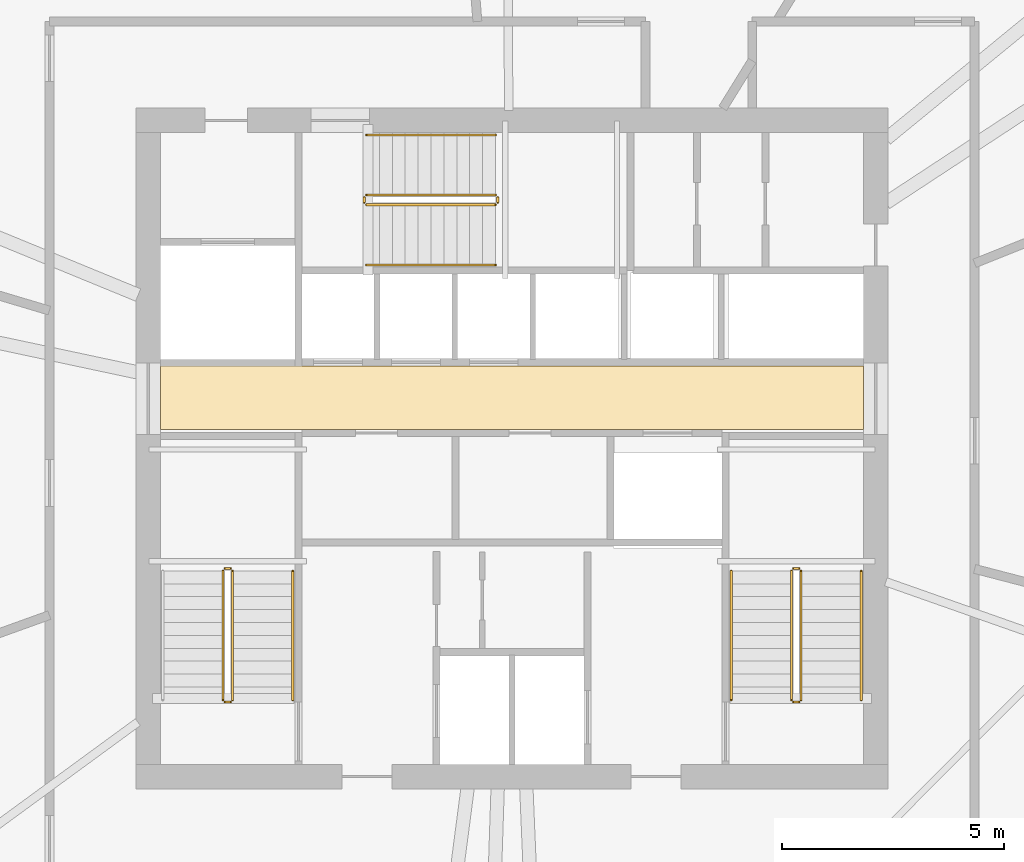
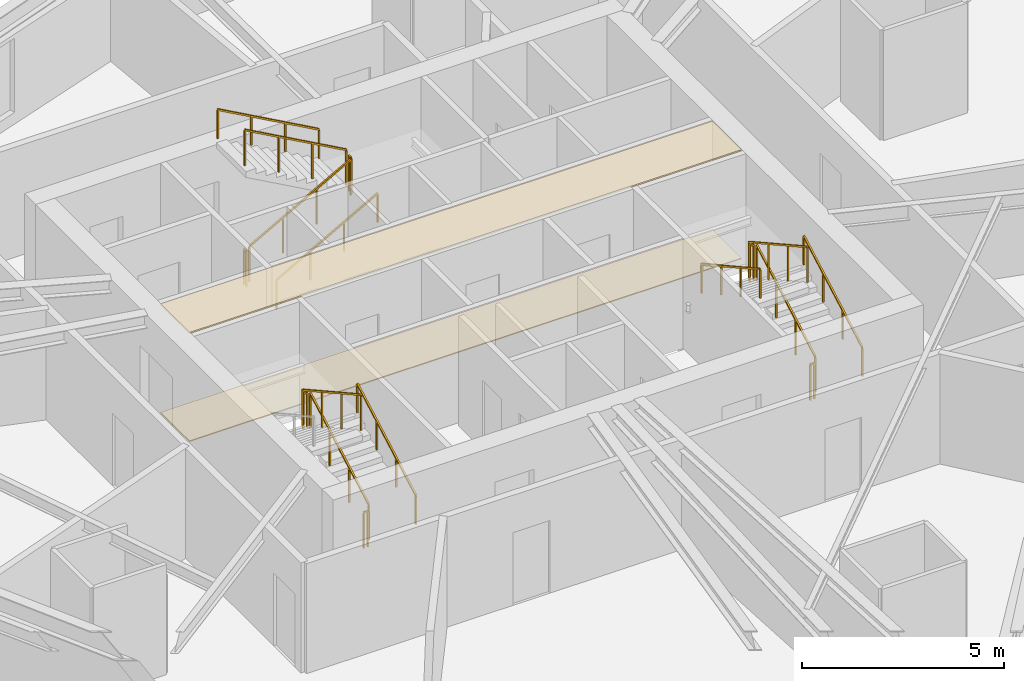
# One storey, part 13 of 14: 17 railings, 2 coverings.
"""IFC4 building model written with IfcOpenShell, lengths in metres."""

import ifcopenshell
import ifcopenshell.guid

model = None  # the IFC model being written
_history = None  # IfcOwnerHistory: only IFC2X3 demands one
_inside = {}  # id of a spatial element -> (the spatial element, [elements in it])
_under = {}  # id of a project, library or spatial element -> (it, [spatial elements below it])
_declared = {}  # id of a project -> (the project, [libraries it declares])
_typed = {}  # id of a type object -> (the type object, [elements of that type])
_made_of = {}  # id of a material, layer set ... -> (it, [elements and type objects made of it])


def new_model(schema):
    """Start an empty IFC model of exactly this schema.

    Asked for "IFC4X3", IfcOpenShell would pick the latest addendum, in which some entities
    have other attributes; the version numbers below select the first issue.
    IFC2X3 requires an IfcOwnerHistory on every rooted entity: one is made here for all.
    """
    global model, _history
    if schema == "IFC4X3":
        model = ifcopenshell.file(schema_version=(4, 3, 0, 0))
    else:
        model = ifcopenshell.file(schema=schema)
    _inside.clear()
    _under.clear()
    _declared.clear()
    _typed.clear()
    _made_of.clear()
    _history = None
    if model.schema == "IFC2X3":
        org = make("IfcOrganization", Name="unknown")
        user = make(
            "IfcPersonAndOrganization",
            ThePerson=make("IfcPerson", FamilyName="unknown"),
            TheOrganization=org,
        )
        app = make(
            "IfcApplication",
            ApplicationDeveloper=org,
            Version="unknown",
            ApplicationFullName="unknown",
            ApplicationIdentifier="unknown",
        )
        _history = make(
            "IfcOwnerHistory",
            OwningUser=user,
            OwningApplication=app,
            ChangeAction="ADDED",
            CreationDate=0,
        )
    return model


def make(cls, **values):
    """One entity of the class cls with the attributes given. An attribute that is None is left unset."""
    return model.create_entity(
        cls, **{name: value for name, value in values.items() if value is not None}
    )


def rooted(cls, **values):
    """An entity with a GlobalId (a new one), such as an element, a storey or a relation."""
    return make(cls, GlobalId=ifcopenshell.guid.new(), OwnerHistory=_history, **values)


def si_unit(unit_type, name, prefix=None):
    """IfcSIUnit, for example si_unit("LENGTHUNIT", "METRE", prefix="MILLI")."""
    return make("IfcSIUnit", UnitType=unit_type, Prefix=prefix, Name=name)


def assignment(units):
    """IfcUnitAssignment: the units of a project."""
    return None if units is None else make("IfcUnitAssignment", Units=units)


def point(xyz):
    """IfcCartesianPoint."""
    return None if xyz is None else make("IfcCartesianPoint", Coordinates=xyz)


def direction(xyz):
    """IfcDirection."""
    return None if xyz is None else make("IfcDirection", DirectionRatios=xyz)


def frame(location, z_axis=None, x_axis=None):
    """IfcAxis2Placement3D, a coordinate frame: its origin and axes. An axis left out is left unset."""
    return make(
        "IfcAxis2Placement3D",
        Location=point(location),
        Axis=direction(z_axis),
        RefDirection=direction(x_axis),
    )


def frame_2d(location, x_axis=None):
    """IfcAxis2Placement2D, a coordinate frame in the plane: its origin and x axis."""
    return make(
        "IfcAxis2Placement2D", Location=point(location), RefDirection=direction(x_axis)
    )


def origin():
    """The frame at (0, 0, 0) with its axes left unset."""
    return frame((0.0, 0.0, 0.0))


def origin_2d():
    """The frame at (0, 0) in the plane with its x axis left unset."""
    return frame_2d((0.0, 0.0))


def place(relative_to, where):
    """IfcLocalPlacement: puts the frame where relative to a parent placement (None: the world)."""
    return make(
        "IfcLocalPlacement", PlacementRelTo=relative_to, RelativePlacement=where
    )


def context(
    kind, dimensions, precision=None, world=None, true_north=None, identifier=None
):
    """IfcGeometricRepresentationContext, for example the 3D "Model" context."""
    return make(
        "IfcGeometricRepresentationContext",
        ContextIdentifier=identifier,
        ContextType=kind,
        CoordinateSpaceDimension=dimensions,
        Precision=precision,
        WorldCoordinateSystem=world,
        TrueNorth=true_north,
    )


def subcontext(parent, identifier, kind, view, scale=None):
    """IfcGeometricRepresentationSubContext, for example "Body" below "Model"."""
    return make(
        "IfcGeometricRepresentationSubContext",
        ContextIdentifier=identifier,
        ContextType=kind,
        ParentContext=parent,
        TargetScale=scale,
        TargetView=view,
    )


def project(units=None, contexts=None):
    """IfcProject with its units and contexts."""
    return rooted(
        "IfcProject",
        Name="project",
        RepresentationContexts=contexts,
        UnitsInContext=assignment(units),
    )


def spatial(cls, under=None, at=None, **own):
    """A site, building, storey or space (cls), placed at a placement, below another one or the project."""
    s = rooted(cls, ObjectPlacement=at, **own)
    if under is not None:
        _under.setdefault(under.id(), (under, []))[1].append(s)
    return s


def polyline(points):
    """IfcPolyline through the points."""
    return make("IfcPolyline", Points=[point(p) for p in points])


def profile(cls, at=None, kind="AREA", **sizes):
    """A parametric profile (cls). Its sizes go by their IFC names, for example OverallWidth=200.0."""
    return make(cls, ProfileType=kind, Position=at, **sizes)


def rectangle(**sizes):
    """IfcRectangleProfileDef."""
    return profile("IfcRectangleProfileDef", **sizes)


def outline(outer, holes=None, kind="AREA"):
    """IfcArbitraryClosedProfileDef: a profile drawn as a closed curve; with holes, ...WithVoids."""
    if holes is None:
        return make("IfcArbitraryClosedProfileDef", ProfileType=kind, OuterCurve=outer)
    return make(
        "IfcArbitraryProfileDefWithVoids",
        ProfileType=kind,
        OuterCurve=outer,
        InnerCurves=holes,
    )


def extrude(swept, where, along, depth):
    """IfcExtrudedAreaSolid: the profile swept, set in the frame where, extruded along a direction by depth."""
    return make(
        "IfcExtrudedAreaSolid",
        SweptArea=swept,
        Position=where,
        ExtrudedDirection=direction(along),
        Depth=depth,
    )


def shape(context_of_items, identifier, shape_type, items):
    """IfcShapeRepresentation: the items that make up one representation, for example the "Body"."""
    return make(
        "IfcShapeRepresentation",
        ContextOfItems=context_of_items,
        RepresentationIdentifier=identifier,
        RepresentationType=shape_type,
        Items=items,
    )


def material(Name=None, Category=None):
    """IfcMaterial."""
    return make("IfcMaterial", Name=Name, Category=Category)


def layer(
    of_material, thickness, ventilated=None, Name=None, Category=None, Priority=None
):
    """IfcMaterialLayer: one layer of a wall or slab, of a material (None: an air gap)."""
    return make(
        "IfcMaterialLayer",
        Material=of_material,
        LayerThickness=thickness,
        IsVentilated=ventilated,
        Name=Name,
        Category=Category,
        Priority=Priority,
    )


def layer_set(layers, Name=None):
    """IfcMaterialLayerSet."""
    return make("IfcMaterialLayerSet", MaterialLayers=layers, LayerSetName=Name)


def made_of(thing, what):
    """Note that an element or type object is made of a material, layer set ...; save() writes the relation."""
    if what is not None:
        _made_of.setdefault(what.id(), (what, []))[1].append(thing)
    return thing


def type_object(cls, material=None, **own):
    """A type object (cls), such as IfcWallType, which elements share."""
    return made_of(rooted(cls, **own), material)


def element(
    cls,
    number,
    at=None,
    inside=None,
    cuts=None,
    type_object=None,
    material=None,
    context=None,
    identifier="Body",
    shape_type=None,
    held_by="IfcProductDefinitionShape",
    body=None,
    shapes=None,
    **own,
):
    """One element of the class cls, such as IfcWall. Its Tag is "e" and its number.

    at: its placement. inside: the storey or other place that contains it. cuts: it is an
    opening in that element (IfcRelVoidsElement). A single representation is given by context,
    identifier, shape_type and body (its items); several are given by shapes. held_by: the class
    of the entity that holds the representations. save() writes the other relations.
    """
    e = rooted(cls, Tag="e%d" % number, ObjectPlacement=at, **own)
    if body is not None:
        shapes = [shape(context, identifier, shape_type, body)]
    if shapes is not None:
        e.Representation = make(held_by, Representations=shapes)
    if inside is not None:
        _inside.setdefault(inside.id(), (inside, []))[1].append(e)
    if cuts is not None:
        rooted(
            "IfcRelVoidsElement", RelatingBuildingElement=cuts, RelatedOpeningElement=e
        )
    if type_object is not None:
        _typed.setdefault(type_object.id(), (type_object, []))[1].append(e)
    return made_of(e, material)


def aggregate(whole, parts):
    """IfcRelAggregates: a whole, such as a stair, and the parts it consists of."""
    return rooted("IfcRelAggregates", RelatingObject=whole, RelatedObjects=parts)


def save(model, path):
    """Write the relations noted so far, then the file.

    IfcRelAggregates (storeys below a building ...), IfcRelContainedInSpatialStructure (elements
    in a storey), IfcRelDefinesByType, IfcRelAssociatesMaterial and IfcRelDeclares: one each for
    every whole, place, type object, material and project.
    """
    for whole, parts in _under.values():
        aggregate(whole, parts)
    for where, things in _inside.values():
        rooted(
            "IfcRelContainedInSpatialStructure",
            RelatedElements=things,
            RelatingStructure=where,
        )
    for kind, things in _typed.values():
        rooted("IfcRelDefinesByType", RelatedObjects=things, RelatingType=kind)
    for what, things in _made_of.values():
        rooted("IfcRelAssociatesMaterial", RelatedObjects=things, RelatingMaterial=what)
    for by, libraries in _declared.values():
        rooted("IfcRelDeclares", RelatingContext=by, RelatedDefinitions=libraries)
    model.write(path)


model = new_model("IFC4")

# Units and contexts
model_context = context("Model", 3, precision=1e-05, world=origin(), true_north=direction((0.0, 1.0)))
body_context = subcontext(model_context, "Body", "Model", "MODEL_VIEW")
ifc_project = project(units=[si_unit("LENGTHUNIT", "METRE"), si_unit("AREAUNIT", "SQUARE_METRE"), si_unit("VOLUMEUNIT", "CUBIC_METRE"), si_unit("PLANEANGLEUNIT", "RADIAN"), si_unit("MASSUNIT", "GRAM", prefix="KILO")], contexts=[model_context])

# Site, building, storey
site_placement = place(None, origin())
site = spatial("IfcSite", under=ifc_project, at=site_placement, CompositionType="ELEMENT")
building_placement = place(site_placement, origin())
building = spatial("IfcBuilding", under=site, at=building_placement, Name="Olszyna Solenne Hotel", CompositionType="ELEMENT")
storey_placement = place(building_placement, frame((0.0, 0.0, 178.550048828125)))
storey = spatial("IfcBuildingStorey", under=building, at=storey_placement, Name="L47", CompositionType="ELEMENT", Elevation=178.550048828125)

# Coverings
ifc_material_1 = material(Name="Mineral wool acoustic ceiling")
ifc_layer_1 = layer(ifc_material_1, 0.0400390625, Name="Mineral wool acoustic ceiling")
ifc_layer_set_1 = layer_set([ifc_layer_1], Name="Mineral wool acoustic ceiling")
covering_type_1 = type_object("IfcCoveringType", Name="CL-AC1", PredefinedType="CEILING", material=ifc_layer_set_1)
covering_1_placement = place(storey_placement, frame((0.0, 0.0, 3.27001953125)))
element("IfcCovering", 1, at=covering_1_placement, inside=storey, type_object=covering_type_1, Name="Lift lobby acoustic tile ceiling CL-L47-01", PredefinedType="CEILING", context=body_context, shape_type="SweptSolid", body=[
    extrude(outline(polyline([(30.10009765625, 27.030029296875), (45.89990234375, 27.030029296875), (45.89990234375, 28.4599609375), (30.10009765625, 28.4599609375), (30.10009765625, 27.030029296875)])), origin(), (0.0, 0.0, 1.0), 0.0400390625),
])
ifc_material_2 = material(Name="Ceramic floor tile")
ifc_layer_2 = layer(ifc_material_2, 0.030029296875, Name="Ceramic floor tile")
ifc_layer_set_2 = layer_set([ifc_layer_2], Name="Ceramic floor tile")
covering_type_2 = type_object("IfcCoveringType", Name="FL-TL1", PredefinedType="FLOORING", material=ifc_layer_set_2)
covering_2_placement = place(storey_placement, origin())
element("IfcCovering", 2, at=covering_2_placement, inside=storey, type_object=covering_type_2, Name="Lift lobby stoneware floor finish FLR-L47-01", PredefinedType="FLOORING", context=body_context, shape_type="SweptSolid", body=[
    extrude(outline(polyline([(30.10009765625, 27.030029296875), (45.89990234375, 27.030029296875), (45.89990234375, 28.4599609375), (30.10009765625, 28.4599609375), (30.10009765625, 27.030029296875)])), origin(), (0.0, 0.0, 1.0), 0.030029296875),
])

# Railings
ifc_material_3 = material(Name="Anodised bronze aluminium", Category="aluminium")
railing_type_1 = type_object("IfcRailingType", Name="GR-110", PredefinedType="BALUSTRADE", material=ifc_material_3)
railing_1_placement = place(storey_placement, frame((31.719970703125, 20.949951171875, 0.161376953125)))
element("IfcRailing", 3, at=railing_1_placement, inside=storey, type_object=railing_type_1, Name="L47 ST1 stair guard 1", PredefinedType="BALUSTRADE", context=body_context, shape_type="SweptSolid", body=[
    extrude(rectangle(XDim=0.048095703125, YDim=0.048095703125, at=origin_2d()), frame((0.0, 0.0, 1.076171875), z_axis=(0.0, 0.873858693841, 0.486179990537), x_axis=(-1.0, 0.0, 0.0)), (0.0, 0.0, 1.0), 3.31884765625),
    extrude(rectangle(XDim=0.0419921875, YDim=0.0419921875, at=origin_2d()), origin(), (0.0, 0.0, 1.0), 1.052001953125),
    extrude(rectangle(XDim=0.0419921875, YDim=0.0419921875, at=origin_2d()), frame((0.0, 0.966796875, 0.537841796875)), (0.0, 0.0, 1.0), 1.052001953125),
    extrude(rectangle(XDim=0.0419921875, YDim=0.0419921875, at=origin_2d()), frame((0.0, 1.933349609375, 1.07568359375)), (0.0, 0.0, 1.0), 1.052001953125),
    extrude(rectangle(XDim=0.0419921875, YDim=0.0419921875, at=origin_2d()), frame((0.0, 2.900146484375, 1.613525390625)), (0.0, 0.0, 1.0), 1.052001953125),
])
railing_2_placement = place(storey_placement, frame((31.669921875, 23.89990234375, 1.77490234375)))
element("IfcRailing", 4, at=railing_2_placement, inside=storey, type_object=railing_type_1, Name="L47 ST1 stair guard 2", PredefinedType="BALUSTRADE", context=body_context, shape_type="SweptSolid", body=[
    extrude(rectangle(XDim=0.048095703125, YDim=0.048095703125, at=origin_2d()), frame((0.0, 0.0, 1.076171875), z_axis=(-1.0, 0.0, 0.0), x_axis=(0.0, -1.0, 0.0)), (0.0, 0.0, 1.0), 0.119873046875),
    extrude(rectangle(XDim=0.0419921875, YDim=0.0419921875, at=origin_2d()), origin(), (0.0, 0.0, 1.0), 1.052001953125),
    extrude(rectangle(XDim=0.0419921875, YDim=0.0419921875, at=origin_2d()), frame((-0.119873046875, 0.0, 0.0)), (0.0, 0.0, 1.0), 1.052001953125),
])
railing_3_placement = place(storey_placement, frame((31.5, 23.85009765625, 1.936279296875)))
element("IfcRailing", 5, at=railing_3_placement, inside=storey, type_object=railing_type_1, Name="L47 ST1 stair guard 3", PredefinedType="BALUSTRADE", context=body_context, shape_type="SweptSolid", body=[
    extrude(rectangle(XDim=0.048095703125, YDim=0.048095703125, at=origin_2d()), frame((0.0, 0.0, 1.076171875), z_axis=(0.0, -0.873827439584, 0.48623616261), x_axis=(1.0, 0.0, 0.0)), (0.0, 0.0, 1.0), 3.31884765625),
    extrude(rectangle(XDim=0.0419921875, YDim=0.0419921875, at=origin_2d()), origin(), (0.0, 0.0, 1.0), 1.052001953125),
    extrude(rectangle(XDim=0.0419921875, YDim=0.0419921875, at=origin_2d()), frame((0.0, -0.966796875, 0.537841796875)), (0.0, 0.0, 1.0), 1.052001953125),
    extrude(rectangle(XDim=0.0419921875, YDim=0.0419921875, at=origin_2d()), frame((0.0, -1.933349609375, 1.075927734375)), (0.0, 0.0, 1.0), 1.052001953125),
    extrude(rectangle(XDim=0.0419921875, YDim=0.0419921875, at=origin_2d()), frame((0.0, -2.900146484375, 1.61376953125)), (0.0, 0.0, 1.0), 1.052001953125),
])
railing_4_placement = place(storey_placement, frame((31.669921875, 20.89990234375, 0.0)))
element("IfcRailing", 6, at=railing_4_placement, inside=storey, type_object=railing_type_1, Name="L47 ST1 stair guard 4", PredefinedType="BALUSTRADE", context=body_context, shape_type="SweptSolid", body=[
    extrude(rectangle(XDim=0.048095703125, YDim=0.048095703125, at=origin_2d()), frame((0.0, 0.0, 1.076171875), z_axis=(-1.0, 0.0, 0.0), x_axis=(0.0, -1.0, 0.0)), (0.0, 0.0, 1.0), 0.119873046875),
    extrude(rectangle(XDim=0.0419921875, YDim=0.0419921875, at=origin_2d()), origin(), (0.0, 0.0, 1.0), 1.052001953125),
    extrude(rectangle(XDim=0.0419921875, YDim=0.0419921875, at=origin_2d()), frame((-0.119873046875, 0.0, 0.0)), (0.0, 0.0, 1.0), 1.052001953125),
])
railing_5_placement = place(storey_placement, frame((44.5, 20.949951171875, 0.161376953125)))
element("IfcRailing", 7, at=railing_5_placement, inside=storey, type_object=railing_type_1, Name="L47 ST2 stair guard 1", PredefinedType="BALUSTRADE", context=body_context, shape_type="SweptSolid", body=[
    extrude(rectangle(XDim=0.048095703125, YDim=0.048095703125, at=origin_2d()), frame((0.0, 0.0, 1.076171875), z_axis=(0.0, 0.873858693841, 0.486179990537), x_axis=(-1.0, 0.0, 0.0)), (0.0, 0.0, 1.0), 3.31884765625),
    extrude(rectangle(XDim=0.0419921875, YDim=0.0419921875, at=origin_2d()), origin(), (0.0, 0.0, 1.0), 1.052001953125),
    extrude(rectangle(XDim=0.0419921875, YDim=0.0419921875, at=origin_2d()), frame((0.0, 0.966796875, 0.537841796875)), (0.0, 0.0, 1.0), 1.052001953125),
    extrude(rectangle(XDim=0.0419921875, YDim=0.0419921875, at=origin_2d()), frame((0.0, 1.933349609375, 1.07568359375)), (0.0, 0.0, 1.0), 1.052001953125),
    extrude(rectangle(XDim=0.0419921875, YDim=0.0419921875, at=origin_2d()), frame((0.0, 2.900146484375, 1.613525390625)), (0.0, 0.0, 1.0), 1.052001953125),
])
railing_6_placement = place(storey_placement, frame((44.449951171875, 23.89990234375, 1.77490234375)))
element("IfcRailing", 8, at=railing_6_placement, inside=storey, type_object=railing_type_1, Name="L47 ST2 stair guard 2", PredefinedType="BALUSTRADE", context=body_context, shape_type="SweptSolid", body=[
    extrude(rectangle(XDim=0.048095703125, YDim=0.048095703125, at=origin_2d()), frame((0.0, 0.0, 1.076171875), z_axis=(-1.0, 0.0, 0.0), x_axis=(0.0, -1.0, 0.0)), (0.0, 0.0, 1.0), 0.119873046875),
    extrude(rectangle(XDim=0.0419921875, YDim=0.0419921875, at=origin_2d()), origin(), (0.0, 0.0, 1.0), 1.052001953125),
    extrude(rectangle(XDim=0.0419921875, YDim=0.0419921875, at=origin_2d()), frame((-0.119873046875, 0.0, 0.0)), (0.0, 0.0, 1.0), 1.052001953125),
])
railing_7_placement = place(storey_placement, frame((44.280029296875, 23.85009765625, 1.936279296875)))
element("IfcRailing", 9, at=railing_7_placement, inside=storey, type_object=railing_type_1, Name="L47 ST2 stair guard 3", PredefinedType="BALUSTRADE", context=body_context, shape_type="SweptSolid", body=[
    extrude(rectangle(XDim=0.048095703125, YDim=0.048095703125, at=origin_2d()), frame((0.0, 0.0, 1.076171875), z_axis=(0.0, -0.873827439584, 0.48623616261), x_axis=(1.0, 0.0, 0.0)), (0.0, 0.0, 1.0), 3.31884765625),
    extrude(rectangle(XDim=0.0419921875, YDim=0.0419921875, at=origin_2d()), origin(), (0.0, 0.0, 1.0), 1.052001953125),
    extrude(rectangle(XDim=0.0419921875, YDim=0.0419921875, at=origin_2d()), frame((0.0, -0.966796875, 0.537841796875)), (0.0, 0.0, 1.0), 1.052001953125),
    extrude(rectangle(XDim=0.0419921875, YDim=0.0419921875, at=origin_2d()), frame((0.0, -1.933349609375, 1.075927734375)), (0.0, 0.0, 1.0), 1.052001953125),
    extrude(rectangle(XDim=0.0419921875, YDim=0.0419921875, at=origin_2d()), frame((0.0, -2.900146484375, 1.61376953125)), (0.0, 0.0, 1.0), 1.052001953125),
])
railing_8_placement = place(storey_placement, frame((44.449951171875, 20.89990234375, 0.0)))
element("IfcRailing", 10, at=railing_8_placement, inside=storey, type_object=railing_type_1, Name="L47 ST2 stair guard 4", PredefinedType="BALUSTRADE", context=body_context, shape_type="SweptSolid", body=[
    extrude(rectangle(XDim=0.048095703125, YDim=0.048095703125, at=origin_2d()), frame((0.0, 0.0, 1.076171875), z_axis=(-1.0, 0.0, 0.0), x_axis=(0.0, -1.0, 0.0)), (0.0, 0.0, 1.0), 0.119873046875),
    extrude(rectangle(XDim=0.0419921875, YDim=0.0419921875, at=origin_2d()), origin(), (0.0, 0.0, 1.0), 1.052001953125),
    extrude(rectangle(XDim=0.0419921875, YDim=0.0419921875, at=origin_2d()), frame((-0.119873046875, 0.0, 0.0)), (0.0, 0.0, 1.0), 1.052001953125),
])
railing_9_placement = place(storey_placement, frame((34.72998046875, 32.080078125, 0.161376953125)))
element("IfcRailing", 11, at=railing_9_placement, inside=storey, type_object=railing_type_1, Name="L47 ST3 stair guard 1", PredefinedType="BALUSTRADE", context=body_context, shape_type="SweptSolid", body=[
    extrude(rectangle(XDim=0.048095703125, YDim=0.048095703125, at=origin_2d()), frame((0.0, 0.0, 1.076171875), z_axis=(0.873841303929, 0.0, 0.486211245805), x_axis=(0.0, 1.0, 0.0)), (0.0, 0.0, 1.0), 3.318603515625),
    extrude(rectangle(XDim=0.0419921875, YDim=0.0419921875, at=origin_2d()), origin(), (0.0, 0.0, 1.0), 1.052001953125),
    extrude(rectangle(XDim=0.0419921875, YDim=0.0419921875, at=origin_2d()), frame((0.966552734375, 0.0, 0.537841796875)), (0.0, 0.0, 1.0), 1.052001953125),
    extrude(rectangle(XDim=0.0419921875, YDim=0.0419921875, at=origin_2d()), frame((1.933349609375, 0.0, 1.07568359375)), (0.0, 0.0, 1.0), 1.052001953125),
    extrude(rectangle(XDim=0.0419921875, YDim=0.0419921875, at=origin_2d()), frame((2.89990234375, 0.0, 1.613525390625)), (0.0, 0.0, 1.0), 1.052001953125),
])
railing_10_placement = place(storey_placement, frame((37.679931640625, 32.1298828125, 1.77490234375)))
element("IfcRailing", 12, at=railing_10_placement, inside=storey, type_object=railing_type_1, Name="L47 ST3 stair guard 2", PredefinedType="BALUSTRADE", context=body_context, shape_type="SweptSolid", body=[
    extrude(rectangle(XDim=0.048095703125, YDim=0.048095703125, at=origin_2d()), frame((0.0, 0.0, 1.076171875), z_axis=(0.0, 1.0, 0.0), x_axis=(-1.0, 0.0, 0.0)), (0.0, 0.0, 1.0), 0.1201171875),
    extrude(rectangle(XDim=0.0419921875, YDim=0.0419921875, at=origin_2d()), origin(), (0.0, 0.0, 1.0), 1.052001953125),
    extrude(rectangle(XDim=0.0419921875, YDim=0.0419921875, at=origin_2d()), frame((0.0, 0.1201171875, 0.0)), (0.0, 0.0, 1.0), 1.052001953125),
])
railing_11_placement = place(storey_placement, frame((37.6298828125, 32.300048828125, 1.936279296875)))
element("IfcRailing", 13, at=railing_11_placement, inside=storey, type_object=railing_type_1, Name="L47 ST3 stair guard 3", PredefinedType="BALUSTRADE", context=body_context, shape_type="SweptSolid", body=[
    extrude(rectangle(XDim=0.048095703125, YDim=0.048095703125, at=origin_2d()), frame((0.0, 0.0, 1.076171875), z_axis=(-0.873810046276, 0.0, 0.486267419253), x_axis=(0.0, -1.0, 0.0)), (0.0, 0.0, 1.0), 3.318603515625),
    extrude(rectangle(XDim=0.0419921875, YDim=0.0419921875, at=origin_2d()), origin(), (0.0, 0.0, 1.0), 1.052001953125),
    extrude(rectangle(XDim=0.0419921875, YDim=0.0419921875, at=origin_2d()), frame((-0.966552734375, 0.0, 0.537841796875)), (0.0, 0.0, 1.0), 1.052001953125),
    extrude(rectangle(XDim=0.0419921875, YDim=0.0419921875, at=origin_2d()), frame((-1.933349609375, 0.0, 1.075927734375)), (0.0, 0.0, 1.0), 1.052001953125),
    extrude(rectangle(XDim=0.0419921875, YDim=0.0419921875, at=origin_2d()), frame((-2.89990234375, 0.0, 1.61376953125)), (0.0, 0.0, 1.0), 1.052001953125),
])
railing_12_placement = place(storey_placement, frame((34.679931640625, 32.1298828125, 0.0)))
element("IfcRailing", 14, at=railing_12_placement, inside=storey, type_object=railing_type_1, Name="L47 ST3 stair guard 4", PredefinedType="BALUSTRADE", context=body_context, shape_type="SweptSolid", body=[
    extrude(rectangle(XDim=0.048095703125, YDim=0.048095703125, at=origin_2d()), frame((0.0, 0.0, 1.076171875), z_axis=(0.0, 1.0, 0.0), x_axis=(-1.0, 0.0, 0.0)), (0.0, 0.0, 1.0), 0.1201171875),
    extrude(rectangle(XDim=0.0419921875, YDim=0.0419921875, at=origin_2d()), origin(), (0.0, 0.0, 1.0), 1.052001953125),
    extrude(rectangle(XDim=0.0419921875, YDim=0.0419921875, at=origin_2d()), frame((0.0, 0.1201171875, 0.0)), (0.0, 0.0, 1.0), 1.052001953125),
])
ifc_material_4 = material(Name="Steel S355J2", Category="steel")
railing_type_2 = type_object("IfcRailingType", Name="HR-090", PredefinedType="HANDRAIL", material=ifc_material_4)
for number, where, name in (
    (15, (33.070068359375, 20.949951171875, 0.161376953125), "L47 ST1 stair handrail 1"),
    (16, (45.85009765625, 20.949951171875, 0.161376953125), "L47 ST2 stair handrail 1"),
):
    element("IfcRailing", number, at=place(storey_placement, frame(where)), inside=storey, type_object=railing_type_2, Name=name, PredefinedType="HANDRAIL", context=body_context, shape_type="SweptSolid", body=[
        extrude(rectangle(XDim=0.048095703125, YDim=0.048095703125, at=origin_2d()), frame((0.0, 0.0, 0.8759765625), z_axis=(0.0, 0.873858693841, 0.486179990537), x_axis=(-1.0, 0.0, 0.0)), (0.0, 0.0, 1.0), 3.31884765625),
        extrude(rectangle(XDim=0.0419921875, YDim=0.0419921875, at=origin_2d()), origin(), (0.0, 0.0, 1.0), 0.851806640625),
        extrude(rectangle(XDim=0.0419921875, YDim=0.0419921875, at=origin_2d()), frame((0.0, 0.966796875, 0.537841796875)), (0.0, 0.0, 1.0), 0.851806640625),
        extrude(rectangle(XDim=0.0419921875, YDim=0.0419921875, at=origin_2d()), frame((0.0, 1.933349609375, 1.07568359375)), (0.0, 0.0, 1.0), 0.851806640625),
        extrude(rectangle(XDim=0.0419921875, YDim=0.0419921875, at=origin_2d()), frame((0.0, 2.900146484375, 1.613525390625)), (0.0, 0.0, 1.0), 0.851806640625),
    ])
railing_13_placement = place(storey_placement, frame((42.929931640625, 23.85009765625, 1.936279296875)))
element("IfcRailing", 17, at=railing_13_placement, inside=storey, type_object=railing_type_2, Name="L47 ST2 stair handrail 2", PredefinedType="HANDRAIL", context=body_context, shape_type="SweptSolid", body=[
    extrude(rectangle(XDim=0.048095703125, YDim=0.048095703125, at=origin_2d()), frame((0.0, 0.0, 0.8759765625), z_axis=(0.0, -0.873827439584, 0.48623616261), x_axis=(1.0, 0.0, 0.0)), (0.0, 0.0, 1.0), 3.31884765625),
    extrude(rectangle(XDim=0.0419921875, YDim=0.0419921875, at=origin_2d()), origin(), (0.0, 0.0, 1.0), 0.851806640625),
    extrude(rectangle(XDim=0.0419921875, YDim=0.0419921875, at=origin_2d()), frame((0.0, -0.966796875, 0.537841796875)), (0.0, 0.0, 1.0), 0.851806640625),
    extrude(rectangle(XDim=0.0419921875, YDim=0.0419921875, at=origin_2d()), frame((0.0, -1.933349609375, 1.075927734375)), (0.0, 0.0, 1.0), 0.851806640625),
    extrude(rectangle(XDim=0.0419921875, YDim=0.0419921875, at=origin_2d()), frame((0.0, -2.900146484375, 1.61376953125)), (0.0, 0.0, 1.0), 0.851806640625),
])
railing_14_placement = place(storey_placement, frame((34.72998046875, 30.72998046875, 0.161376953125)))
element("IfcRailing", 18, at=railing_14_placement, inside=storey, type_object=railing_type_2, Name="L47 ST3 stair handrail 1", PredefinedType="HANDRAIL", context=body_context, shape_type="SweptSolid", body=[
    extrude(rectangle(XDim=0.048095703125, YDim=0.048095703125, at=origin_2d()), frame((0.0, 0.0, 0.8759765625), z_axis=(0.873841303929, 0.0, 0.486211245805), x_axis=(0.0, 1.0, 0.0)), (0.0, 0.0, 1.0), 3.318603515625),
    extrude(rectangle(XDim=0.0419921875, YDim=0.0419921875, at=origin_2d()), origin(), (0.0, 0.0, 1.0), 0.851806640625),
    extrude(rectangle(XDim=0.0419921875, YDim=0.0419921875, at=origin_2d()), frame((0.966552734375, 0.0, 0.537841796875)), (0.0, 0.0, 1.0), 0.851806640625),
    extrude(rectangle(XDim=0.0419921875, YDim=0.0419921875, at=origin_2d()), frame((1.933349609375, 0.0, 1.07568359375)), (0.0, 0.0, 1.0), 0.851806640625),
    extrude(rectangle(XDim=0.0419921875, YDim=0.0419921875, at=origin_2d()), frame((2.89990234375, 0.0, 1.613525390625)), (0.0, 0.0, 1.0), 0.851806640625),
])
railing_15_placement = place(storey_placement, frame((37.6298828125, 33.64990234375, 1.936279296875)))
element("IfcRailing", 19, at=railing_15_placement, inside=storey, type_object=railing_type_2, Name="L47 ST3 stair handrail 2", PredefinedType="HANDRAIL", context=body_context, shape_type="SweptSolid", body=[
    extrude(rectangle(XDim=0.048095703125, YDim=0.048095703125, at=origin_2d()), frame((0.0, 0.0, 0.8759765625), z_axis=(-0.873810046276, 0.0, 0.486267419253), x_axis=(0.0, -1.0, 0.0)), (0.0, 0.0, 1.0), 3.318603515625),
    extrude(rectangle(XDim=0.0419921875, YDim=0.0419921875, at=origin_2d()), origin(), (0.0, 0.0, 1.0), 0.851806640625),
    extrude(rectangle(XDim=0.0419921875, YDim=0.0419921875, at=origin_2d()), frame((-0.966552734375, 0.0, 0.537841796875)), (0.0, 0.0, 1.0), 0.851806640625),
    extrude(rectangle(XDim=0.0419921875, YDim=0.0419921875, at=origin_2d()), frame((-1.933349609375, 0.0, 1.075927734375)), (0.0, 0.0, 1.0), 0.851806640625),
    extrude(rectangle(XDim=0.0419921875, YDim=0.0419921875, at=origin_2d()), frame((-2.89990234375, 0.0, 1.61376953125)), (0.0, 0.0, 1.0), 0.851806640625),
])

save(model, "model.ifc")
